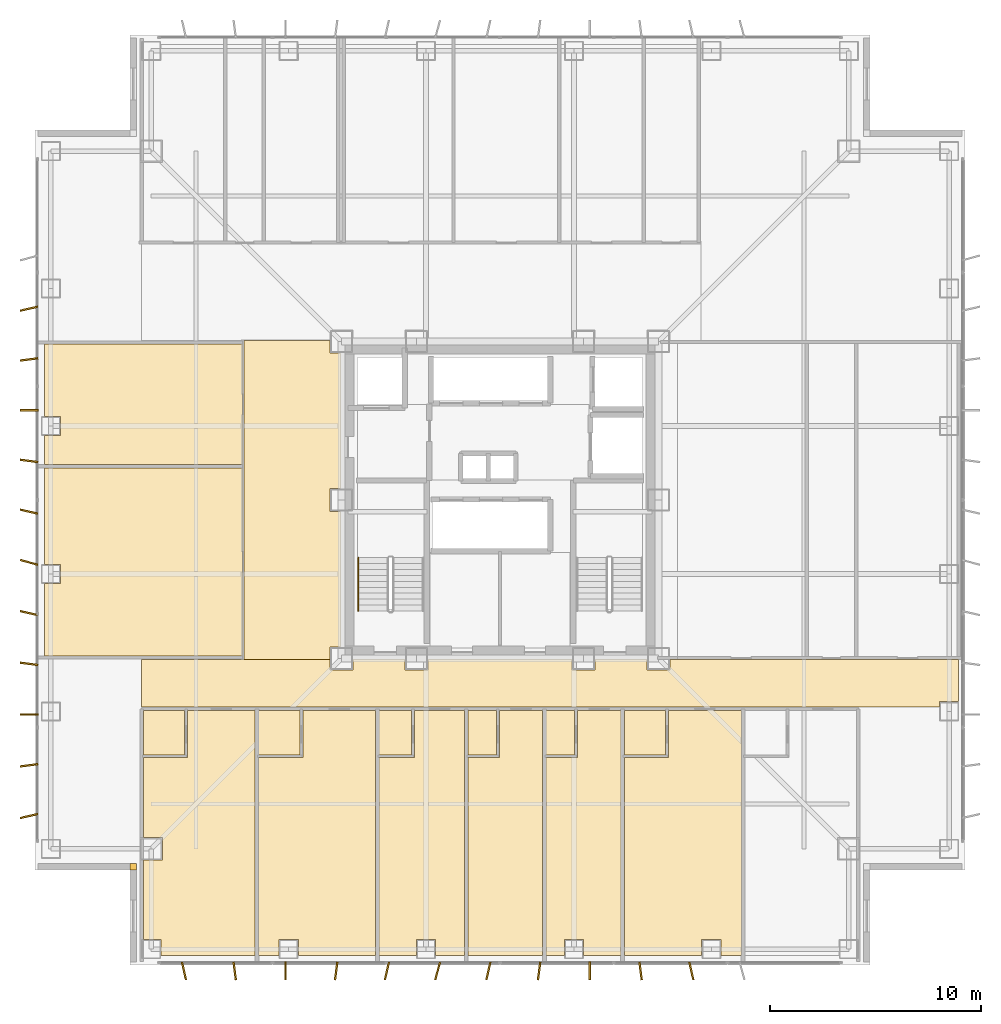
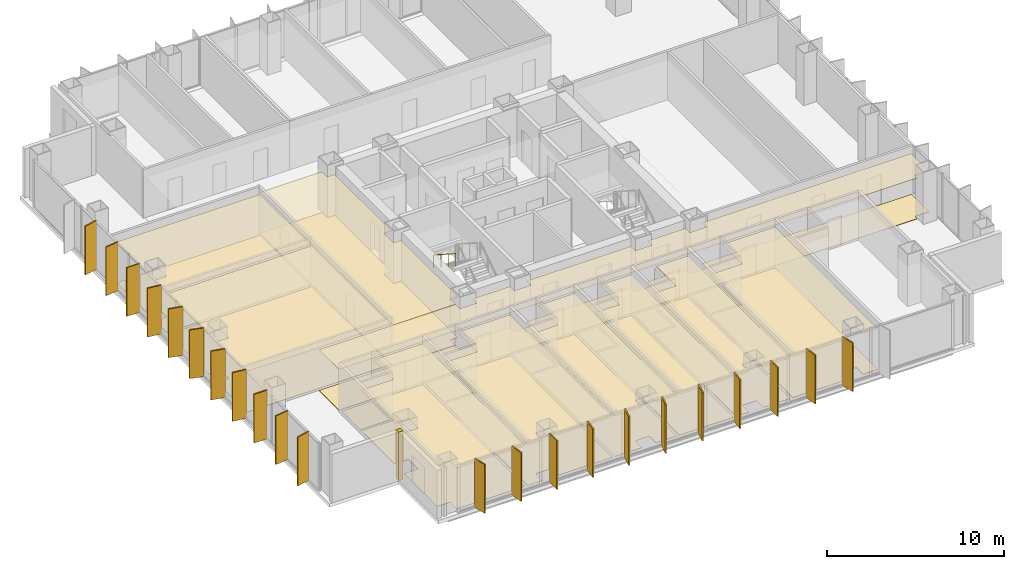
# One storey, part 16 of 18: 27 coverings, 22 shading devices, 1 railing.
"""IFC4 building model written with IfcOpenShell, lengths in metres."""

from ifc_helpers import new_model, si_unit, direction, frame, origin, origin_2d, place, context, subcontext, project, spatial, polyline, rectangle, circle, outline, extrude, material, layer, layer_set, type_object, element, save


model = new_model("IFC4")

# Units and contexts
model_context = context("Model", 3, precision=1e-05, world=origin(), true_north=direction((0.0, 1.0)))
body_context = subcontext(model_context, "Body", "Model", "MODEL_VIEW")
ifc_project = project(units=[si_unit("LENGTHUNIT", "METRE"), si_unit("AREAUNIT", "SQUARE_METRE"), si_unit("VOLUMEUNIT", "CUBIC_METRE"), si_unit("PLANEANGLEUNIT", "RADIAN"), si_unit("MASSUNIT", "GRAM", prefix="KILO")], contexts=[model_context])

# Site, building, storey
site_placement = place(None, origin())
site = spatial("IfcSite", under=ifc_project, at=site_placement, CompositionType="ELEMENT")
building_placement = place(site_placement, origin())
building = spatial("IfcBuilding", under=site, at=building_placement, Name="Trevonay Congress Spire", CompositionType="ELEMENT")
storey_placement = place(building_placement, frame((0.0, 0.0, 148.0)))
storey = spatial("IfcBuildingStorey", under=building, at=storey_placement, Name="L38", CompositionType="ELEMENT", Elevation=148.0)

# Coverings
ifc_material_1 = material(Name="Acoustic Mineral Fibre Board", Category="gypsum")
ifc_layer_1 = layer(ifc_material_1, 0.02490234375, Name="Acoustic Mineral Fibre Board")
ifc_layer_set_1 = layer_set([ifc_layer_1], Name="Acoustic Mineral Fibre Board")
covering_type_1 = type_object("IfcCoveringType", Name="COV-CEIL-ACOUSTIC", PredefinedType="CEILING", material=ifc_layer_set_1)
covering_1_placement = place(storey_placement, frame((0.0, 0.0, 2.81005859375)))
element("IfcCovering", 1, at=covering_1_placement, inside=storey, type_object=covering_type_1, Name="L38 Congress South Spine Corridor acoustic suspended ceiling", PredefinedType="CEILING", context=body_context, shape_type="SweptSolid", body=[
    extrude(outline(polyline([(-16.949951171875, -9.800048828125), (-16.949951171875, -7.550048828125), (-8.034912109375, -7.550048828125), (-8.034912109375, -8.034912109375), (-6.965087890625, -8.034912109375), (-6.965087890625, -7.550048828125), (-4.485107421875, -7.550048828125), (-4.485107421875, -8.034912109375), (-3.4150390625, -8.034912109375), (-3.4150390625, -7.550048828125), (3.4150390625, -7.550048828125), (3.4150390625, -8.034912109375), (4.485107421875, -8.034912109375), (4.485107421875, -7.550048828125), (6.965087890625, -7.550048828125), (6.965087890625, -8.034912109375), (8.034912109375, -8.034912109375), (8.034912109375, -7.550048828125), (21.699951171875, -7.550048828125), (21.699951171875, -9.5400390625), (20.7900390625, -9.5400390625), (20.7900390625, -9.800048828125), (-16.949951171875, -9.800048828125)])), origin(), (0.0, 0.0, 1.0), 0.02490234375),
])
covering_2_placement = place(storey_placement, frame((0.0, 0.0, 2.81005859375)))
element("IfcCovering", 2, at=covering_2_placement, inside=storey, type_object=covering_type_1, Name="L38 West Sky Promenade Salon acoustic suspended ceiling", PredefinedType="CEILING", context=body_context, shape_type="SweptSolid", body=[
    extrude(outline(polyline([(-12.10009765625, 7.550048828125), (-8.034912109375, 7.550048828125), (-8.034912109375, 6.965087890625), (-7.550048828125, 6.965087890625), (-7.550048828125, 0.534912109375), (-8.034912109375, 0.534912109375), (-8.034912109375, -0.534912109375), (-7.550048828125, -0.534912109375), (-7.550048828125, -6.965087890625), (-8.034912109375, -6.965087890625), (-8.034912109375, -7.5400390625), (-12.10009765625, -7.5400390625), (-12.10009765625, 7.550048828125)])), origin(), (0.0, 0.0, 1.0), 0.02490234375),
])
covering_3_placement = place(storey_placement, frame((0.0, 0.0, 2.81005859375)))
element("IfcCovering", 3, at=covering_3_placement, inside=storey, type_object=covering_type_1, Name="L38 Corner Hotel Suite acoustic suspended ceiling", PredefinedType="CEILING", context=body_context, shape_type="SweptSolid", body=[
    extrude(outline(polyline([(-16.8701171875, -12.18994140625), (-14.780029296875, -12.18994140625), (-14.780029296875, -9.9599609375), (-11.580078125, -9.9599609375), (-11.580078125, -21.550048828125), (-16.0400390625, -21.550048828125), (-16.0400390625, -20.7900390625), (-16.8701171875, -20.7900390625), (-16.8701171875, -17.034912109375), (-15.965087890625, -17.034912109375), (-15.965087890625, -15.965087890625), (-16.8701171875, -15.965087890625), (-16.8701171875, -12.18994140625)])), origin(), (0.0, 0.0, 1.0), 0.02490234375),
])
covering_4_placement = place(storey_placement, frame((0.0, 0.0, 2.81005859375)))
element("IfcCovering", 4, at=covering_4_placement, inside=storey, type_object=covering_type_1, Name="L38 Hotel Guest Room acoustic suspended ceiling", PredefinedType="CEILING", context=body_context, shape_type="SweptSolid", body=[
    extrude(outline(polyline([(-11.419921875, -21.550048828125), (-11.419921875, -12.18994140625), (-9.330078125, -12.18994140625), (-9.330078125, -9.9599609375), (-5.8798828125, -9.9599609375), (-5.8798828125, -21.550048828125), (-9.5400390625, -21.550048828125), (-9.5400390625, -20.7900390625), (-10.4599609375, -20.7900390625), (-10.4599609375, -21.550048828125), (-11.419921875, -21.550048828125)])), origin(), (0.0, 0.0, 1.0), 0.02490234375),
])
covering_5_placement = place(storey_placement, frame((0.0, 0.0, 2.81005859375)))
element("IfcCovering", 5, at=covering_5_placement, inside=storey, type_object=covering_type_1, Name="L38 Hotel Guest Room acoustic suspended ceiling", PredefinedType="CEILING", context=body_context, shape_type="SweptSolid", body=[
    extrude(outline(polyline([(-5.719970703125, -21.550048828125), (-5.719970703125, -12.18994140625), (-4.044921875, -12.18994140625), (-4.044921875, -9.9599609375), (-1.679931640625, -9.9599609375), (-1.679931640625, -21.550048828125), (-3.0400390625, -21.550048828125), (-3.0400390625, -20.7900390625), (-3.9599609375, -20.7900390625), (-3.9599609375, -21.550048828125), (-5.719970703125, -21.550048828125)])), origin(), (0.0, 0.0, 1.0), 0.02490234375),
])
covering_6_placement = place(storey_placement, frame((0.0, 0.0, 2.81005859375)))
element("IfcCovering", 6, at=covering_6_placement, inside=storey, type_object=covering_type_1, Name="L38 Hotel Guest Room acoustic suspended ceiling", PredefinedType="CEILING", context=body_context, shape_type="SweptSolid", body=[
    extrude(outline(polyline([(-1.52001953125, -21.550048828125), (2.02001953125, -21.550048828125), (2.02001953125, -9.9599609375), (-0.034912109375, -9.9599609375), (-0.034912109375, -12.18994140625), (-1.52001953125, -12.18994140625), (-1.52001953125, -21.550048828125)])), origin(), (0.0, 0.0, 1.0), 0.02490234375),
])
covering_7_placement = place(storey_placement, frame((0.0, 0.0, 2.81005859375)))
element("IfcCovering", 7, at=covering_7_placement, inside=storey, type_object=covering_type_1, Name="L38 Hotel Guest Room acoustic suspended ceiling", PredefinedType="CEILING", context=body_context, shape_type="SweptSolid", body=[
    extrude(outline(polyline([(2.179931640625, -21.550048828125), (2.179931640625, -12.18994140625), (3.6650390625, -12.18994140625), (3.6650390625, -9.9599609375), (5.719970703125, -9.9599609375), (5.719970703125, -21.550048828125), (3.9599609375, -21.550048828125), (3.9599609375, -20.7900390625), (3.0400390625, -20.7900390625), (3.0400390625, -21.550048828125), (2.179931640625, -21.550048828125)])), origin(), (0.0, 0.0, 1.0), 0.02490234375),
])
covering_8_placement = place(storey_placement, frame((0.0, 0.0, 2.81005859375)))
element("IfcCovering", 8, at=covering_8_placement, inside=storey, type_object=covering_type_1, Name="L38 Corner Hotel Suite acoustic suspended ceiling", PredefinedType="CEILING", context=body_context, shape_type="SweptSolid", body=[
    extrude(outline(polyline([(5.8798828125, -21.550048828125), (5.8798828125, -12.18994140625), (7.969970703125, -12.18994140625), (7.969970703125, -9.9599609375), (11.419921875, -9.9599609375), (11.419921875, -21.550048828125), (10.4599609375, -21.550048828125), (10.4599609375, -20.7900390625), (9.5400390625, -20.7900390625), (9.5400390625, -21.550048828125), (5.8798828125, -21.550048828125)])), origin(), (0.0, 0.0, 1.0), 0.02490234375),
])
covering_9_placement = place(storey_placement, frame((0.0, 0.0, 2.81005859375)))
element("IfcCovering", 9, at=covering_9_placement, inside=storey, type_object=covering_type_1, Name="L38 Chief Negotiator Office acoustic suspended ceiling", PredefinedType="CEILING", context=body_context, shape_type="SweptSolid", body=[
    extrude(outline(polyline([(-21.550048828125, 1.52001953125), (-12.179931640625, 1.52001953125), (-12.179931640625, -7.3701171875), (-21.550048828125, -7.3701171875), (-21.550048828125, -3.9599609375), (-20.7900390625, -3.9599609375), (-20.7900390625, -3.0400390625), (-21.550048828125, -3.0400390625), (-21.550048828125, 1.52001953125)])), origin(), (0.0, 0.0, 1.0), 0.02490234375),
])
covering_10_placement = place(storey_placement, frame((0.0, 0.0, 2.81005859375)))
element("IfcCovering", 10, at=covering_10_placement, inside=storey, type_object=covering_type_1, Name="L38 Diplomatic Cipher Office acoustic suspended ceiling", PredefinedType="CEILING", context=body_context, shape_type="SweptSolid", body=[
    extrude(outline(polyline([(-21.550048828125, 7.3701171875), (-12.179931640625, 7.3701171875), (-12.179931640625, 1.679931640625), (-21.550048828125, 1.679931640625), (-21.550048828125, 3.0400390625), (-20.7900390625, 3.0400390625), (-20.7900390625, 3.9599609375), (-21.550048828125, 3.9599609375), (-21.550048828125, 7.3701171875)])), origin(), (0.0, 0.0, 1.0), 0.02490234375),
])
ifc_material_2 = material(Name="Polished Granite Floor Tile", Category="masonry")
ifc_layer_2 = layer(ifc_material_2, 0.02001953125, Name="Polished Granite Floor Tile")
ifc_layer_set_2 = layer_set([ifc_layer_2], Name="Polished Granite Floor Tile")
covering_type_2 = type_object("IfcCoveringType", Name="COV-FLOOR-STONE", PredefinedType="FLOORING", material=ifc_layer_set_2)
covering_11_placement = place(storey_placement, origin())
element("IfcCovering", 11, at=covering_11_placement, inside=storey, type_object=covering_type_2, Name="L38 Congress South Spine Corridor floor finish", PredefinedType="FLOORING", context=body_context, shape_type="SweptSolid", body=[
    extrude(outline(polyline([(-16.949951171875, -9.800048828125), (-16.949951171875, -7.550048828125), (-8.034912109375, -7.550048828125), (-8.034912109375, -8.034912109375), (-6.965087890625, -8.034912109375), (-6.965087890625, -7.550048828125), (-4.485107421875, -7.550048828125), (-4.485107421875, -8.034912109375), (-3.4150390625, -8.034912109375), (-3.4150390625, -7.550048828125), (3.4150390625, -7.550048828125), (3.4150390625, -8.034912109375), (4.485107421875, -8.034912109375), (4.485107421875, -7.550048828125), (6.965087890625, -7.550048828125), (6.965087890625, -8.034912109375), (8.034912109375, -8.034912109375), (8.034912109375, -7.550048828125), (21.699951171875, -7.550048828125), (21.699951171875, -9.5400390625), (20.7900390625, -9.5400390625), (20.7900390625, -9.800048828125), (-16.949951171875, -9.800048828125)])), origin(), (0.0, 0.0, 1.0), 0.02001953125),
])
covering_12_placement = place(storey_placement, origin())
element("IfcCovering", 12, at=covering_12_placement, inside=storey, type_object=covering_type_2, Name="L38 En-suite Bathroom floor finish", PredefinedType="FLOORING", context=body_context, shape_type="SweptSolid", body=[
    extrude(outline(polyline([(-16.8701171875, -12.070068359375), (-14.919921875, -12.070068359375), (-14.919921875, -9.9599609375), (-16.8701171875, -9.9599609375), (-16.8701171875, -12.070068359375)])), origin(), (0.0, 0.0, 1.0), 0.02001953125),
])
covering_13_placement = place(storey_placement, origin())
element("IfcCovering", 13, at=covering_13_placement, inside=storey, type_object=covering_type_2, Name="L38 En-suite Bathroom floor finish", PredefinedType="FLOORING", context=body_context, shape_type="SweptSolid", body=[
    extrude(outline(polyline([(-11.419921875, -12.070068359375), (-9.469970703125, -12.070068359375), (-9.469970703125, -9.9599609375), (-11.419921875, -9.9599609375), (-11.419921875, -12.070068359375)])), origin(), (0.0, 0.0, 1.0), 0.02001953125),
])
covering_14_placement = place(storey_placement, origin())
element("IfcCovering", 14, at=covering_14_placement, inside=storey, type_object=covering_type_2, Name="L38 En-suite Bathroom floor finish", PredefinedType="FLOORING", context=body_context, shape_type="SweptSolid", body=[
    extrude(outline(polyline([(-5.719970703125, -12.070068359375), (-4.18505859375, -12.070068359375), (-4.18505859375, -9.9599609375), (-5.719970703125, -9.9599609375), (-5.719970703125, -12.070068359375)])), origin(), (0.0, 0.0, 1.0), 0.02001953125),
])
covering_15_placement = place(storey_placement, origin())
element("IfcCovering", 15, at=covering_15_placement, inside=storey, type_object=covering_type_2, Name="L38 En-suite Bathroom floor finish", PredefinedType="FLOORING", context=body_context, shape_type="SweptSolid", body=[
    extrude(outline(polyline([(-1.52001953125, -12.070068359375), (-0.175048828125, -12.070068359375), (-0.175048828125, -9.9599609375), (-1.52001953125, -9.9599609375), (-1.52001953125, -12.070068359375)])), origin(), (0.0, 0.0, 1.0), 0.02001953125),
])
covering_16_placement = place(storey_placement, origin())
element("IfcCovering", 16, at=covering_16_placement, inside=storey, type_object=covering_type_2, Name="L38 En-suite Bathroom floor finish", PredefinedType="FLOORING", context=body_context, shape_type="SweptSolid", body=[
    extrude(outline(polyline([(2.179931640625, -12.070068359375), (3.52490234375, -12.070068359375), (3.52490234375, -9.9599609375), (2.179931640625, -9.9599609375), (2.179931640625, -12.070068359375)])), origin(), (0.0, 0.0, 1.0), 0.02001953125),
])
covering_17_placement = place(storey_placement, origin())
element("IfcCovering", 17, at=covering_17_placement, inside=storey, type_object=covering_type_2, Name="L38 En-suite Bathroom floor finish", PredefinedType="FLOORING", context=body_context, shape_type="SweptSolid", body=[
    extrude(outline(polyline([(5.8798828125, -12.070068359375), (7.830078125, -12.070068359375), (7.830078125, -9.9599609375), (5.8798828125, -9.9599609375), (5.8798828125, -12.070068359375)])), origin(), (0.0, 0.0, 1.0), 0.02001953125),
])
ifc_material_3 = material(Name="Engineered Oak Flooring", Category="wood")
ifc_layer_3 = layer(ifc_material_3, 0.01806640625, Name="Engineered Oak Flooring")
ifc_layer_set_3 = layer_set([ifc_layer_3], Name="Engineered Oak Flooring")
covering_type_3 = type_object("IfcCoveringType", Name="COV-FLOOR-TIMBER", PredefinedType="FLOORING", material=ifc_layer_set_3)
covering_18_placement = place(storey_placement, origin())
element("IfcCovering", 18, at=covering_18_placement, inside=storey, type_object=covering_type_3, Name="L38 West Sky Promenade Salon floor finish", PredefinedType="FLOORING", context=body_context, shape_type="SweptSolid", body=[
    extrude(outline(polyline([(-12.10009765625, 7.550048828125), (-8.034912109375, 7.550048828125), (-8.034912109375, 6.965087890625), (-7.550048828125, 6.965087890625), (-7.550048828125, 0.534912109375), (-8.034912109375, 0.534912109375), (-8.034912109375, -0.534912109375), (-7.550048828125, -0.534912109375), (-7.550048828125, -6.965087890625), (-8.034912109375, -6.965087890625), (-8.034912109375, -7.5400390625), (-12.10009765625, -7.5400390625), (-12.10009765625, 7.550048828125)])), origin(), (0.0, 0.0, 1.0), 0.01806640625),
])
covering_19_placement = place(storey_placement, origin())
element("IfcCovering", 19, at=covering_19_placement, inside=storey, type_object=covering_type_3, Name="L38 Corner Hotel Suite floor finish", PredefinedType="FLOORING", context=body_context, shape_type="SweptSolid", body=[
    extrude(outline(polyline([(-16.8701171875, -12.18994140625), (-14.780029296875, -12.18994140625), (-14.780029296875, -9.9599609375), (-11.580078125, -9.9599609375), (-11.580078125, -21.550048828125), (-16.0400390625, -21.550048828125), (-16.0400390625, -20.7900390625), (-16.8701171875, -20.7900390625), (-16.8701171875, -17.034912109375), (-15.965087890625, -17.034912109375), (-15.965087890625, -15.965087890625), (-16.8701171875, -15.965087890625), (-16.8701171875, -12.18994140625)])), origin(), (0.0, 0.0, 1.0), 0.01806640625),
])
covering_20_placement = place(storey_placement, origin())
element("IfcCovering", 20, at=covering_20_placement, inside=storey, type_object=covering_type_3, Name="L38 Hotel Guest Room floor finish", PredefinedType="FLOORING", context=body_context, shape_type="SweptSolid", body=[
    extrude(outline(polyline([(-11.419921875, -21.550048828125), (-11.419921875, -12.18994140625), (-9.330078125, -12.18994140625), (-9.330078125, -9.9599609375), (-5.8798828125, -9.9599609375), (-5.8798828125, -21.550048828125), (-9.5400390625, -21.550048828125), (-9.5400390625, -20.7900390625), (-10.4599609375, -20.7900390625), (-10.4599609375, -21.550048828125), (-11.419921875, -21.550048828125)])), origin(), (0.0, 0.0, 1.0), 0.01806640625),
])
covering_21_placement = place(storey_placement, origin())
element("IfcCovering", 21, at=covering_21_placement, inside=storey, type_object=covering_type_3, Name="L38 Hotel Guest Room floor finish", PredefinedType="FLOORING", context=body_context, shape_type="SweptSolid", body=[
    extrude(outline(polyline([(-5.719970703125, -21.550048828125), (-5.719970703125, -12.18994140625), (-4.044921875, -12.18994140625), (-4.044921875, -9.9599609375), (-1.679931640625, -9.9599609375), (-1.679931640625, -21.550048828125), (-3.0400390625, -21.550048828125), (-3.0400390625, -20.7900390625), (-3.9599609375, -20.7900390625), (-3.9599609375, -21.550048828125), (-5.719970703125, -21.550048828125)])), origin(), (0.0, 0.0, 1.0), 0.01806640625),
])
covering_22_placement = place(storey_placement, origin())
element("IfcCovering", 22, at=covering_22_placement, inside=storey, type_object=covering_type_3, Name="L38 Hotel Guest Room floor finish", PredefinedType="FLOORING", context=body_context, shape_type="SweptSolid", body=[
    extrude(outline(polyline([(-1.52001953125, -21.550048828125), (2.02001953125, -21.550048828125), (2.02001953125, -9.9599609375), (-0.034912109375, -9.9599609375), (-0.034912109375, -12.18994140625), (-1.52001953125, -12.18994140625), (-1.52001953125, -21.550048828125)])), origin(), (0.0, 0.0, 1.0), 0.01806640625),
])
covering_23_placement = place(storey_placement, origin())
element("IfcCovering", 23, at=covering_23_placement, inside=storey, type_object=covering_type_3, Name="L38 Hotel Guest Room floor finish", PredefinedType="FLOORING", context=body_context, shape_type="SweptSolid", body=[
    extrude(outline(polyline([(2.179931640625, -21.550048828125), (2.179931640625, -12.18994140625), (3.6650390625, -12.18994140625), (3.6650390625, -9.9599609375), (5.719970703125, -9.9599609375), (5.719970703125, -21.550048828125), (3.9599609375, -21.550048828125), (3.9599609375, -20.7900390625), (3.0400390625, -20.7900390625), (3.0400390625, -21.550048828125), (2.179931640625, -21.550048828125)])), origin(), (0.0, 0.0, 1.0), 0.01806640625),
])
covering_24_placement = place(storey_placement, origin())
element("IfcCovering", 24, at=covering_24_placement, inside=storey, type_object=covering_type_3, Name="L38 Corner Hotel Suite floor finish", PredefinedType="FLOORING", context=body_context, shape_type="SweptSolid", body=[
    extrude(outline(polyline([(5.8798828125, -21.550048828125), (5.8798828125, -12.18994140625), (7.969970703125, -12.18994140625), (7.969970703125, -9.9599609375), (11.419921875, -9.9599609375), (11.419921875, -21.550048828125), (10.4599609375, -21.550048828125), (10.4599609375, -20.7900390625), (9.5400390625, -20.7900390625), (9.5400390625, -21.550048828125), (5.8798828125, -21.550048828125)])), origin(), (0.0, 0.0, 1.0), 0.01806640625),
])
covering_25_placement = place(storey_placement, origin())
element("IfcCovering", 25, at=covering_25_placement, inside=storey, type_object=covering_type_3, Name="L38 Chief Negotiator Office floor finish", PredefinedType="FLOORING", context=body_context, shape_type="SweptSolid", body=[
    extrude(outline(polyline([(-21.550048828125, 1.52001953125), (-12.179931640625, 1.52001953125), (-12.179931640625, -7.3701171875), (-21.550048828125, -7.3701171875), (-21.550048828125, -3.9599609375), (-20.7900390625, -3.9599609375), (-20.7900390625, -3.0400390625), (-21.550048828125, -3.0400390625), (-21.550048828125, 1.52001953125)])), origin(), (0.0, 0.0, 1.0), 0.01806640625),
])
covering_26_placement = place(storey_placement, origin())
element("IfcCovering", 26, at=covering_26_placement, inside=storey, type_object=covering_type_3, Name="L38 Diplomatic Cipher Office floor finish", PredefinedType="FLOORING", context=body_context, shape_type="SweptSolid", body=[
    extrude(outline(polyline([(-21.550048828125, 7.3701171875), (-12.179931640625, 7.3701171875), (-12.179931640625, 1.679931640625), (-21.550048828125, 1.679931640625), (-21.550048828125, 3.0400390625), (-20.7900390625, 3.0400390625), (-20.7900390625, 3.9599609375), (-21.550048828125, 3.9599609375), (-21.550048828125, 7.3701171875)])), origin(), (0.0, 0.0, 1.0), 0.01806640625),
])
ifc_material_4 = material(Name="Pale Anodised Aluminium EN AW-6063-T6", Category="aluminium")
ifc_layer_4 = layer(ifc_material_4, 0.0400390625, Name="Pale Anodised Aluminium EN AW-6063-T6")
ifc_layer_set_4 = layer_set([ifc_layer_4], Name="Pale Anodised Aluminium EN AW-6063-T6")
covering_type_4 = type_object("IfcCoveringType", Name="COV-SPANDREL-PALE-METAL", PredefinedType="CLADDING", material=ifc_layer_set_4)
covering_27_placement = place(storey_placement, origin())
element("IfcCovering", 27, at=covering_27_placement, inside=storey, type_object=covering_type_4, Name="L38 SW re-entrant notch corner closure trim", PredefinedType="CLADDING", context=body_context, shape_type="SweptSolid", body=[
    extrude(outline(polyline([(-17.5, -17.5), (-17.199951171875, -17.5), (-17.199951171875, -17.199951171875), (-17.5, -17.199951171875), (-17.5, -17.5)])), origin(), (0.0, 0.0, 1.0), 3.360107421875),
])

# Railing
railing_type = type_object("IfcRailingType", Name="RAL-STAIR-HANDRAIL", PredefinedType="HANDRAIL", material=ifc_material_4)
railing_placement = place(storey_placement, frame((-6.699951171875, -2.72998046875, 1.97998046875)))
element("IfcRailing", 28, at=railing_placement, inside=storey, type_object=railing_type, Name="L38 ST-1 stair handrail 2", PredefinedType="HANDRAIL", context=body_context, shape_type="SweptSolid", body=[
    extrude(circle(Radius=0.02392578125, at=origin_2d()), frame((0.0, 0.0, 0.8759765625), z_axis=(0.0, -0.841162588446, 0.540782303519), x_axis=(1.0, 0.0, 0.0)), (0.0, 0.0, 1.0), 2.995849609375),
    extrude(circle(Radius=0.02099609375, at=origin_2d()), origin(), (0.0, 0.0, 1.0), 0.851806640625),
    extrude(circle(Radius=0.02099609375, at=origin_2d()), frame((0.0, -0.840087890625, 0.5400390625)), (0.0, 0.0, 1.0), 0.851806640625),
    extrude(circle(Radius=0.02099609375, at=origin_2d()), frame((0.0, -1.679931640625, 1.080078125)), (0.0, 0.0, 1.0), 0.851806640625),
    extrude(circle(Radius=0.02099609375, at=origin_2d()), frame((0.0, -2.52001953125, 1.6201171875)), (0.0, 0.0, 1.0), 0.851806640625),
])

# Shading devices
shading_device_type = type_object("IfcShadingDeviceType", Name="SHD-FIN-Z2-PALE-METAL", PredefinedType="USERDEFINED", material=ifc_material_4)
for number, where, z_axis, x_axis, name in (
    (29, (-14.949951171875, -22.280029296875, 0.0), (0.0, 0.0, 1.0), (0.97440931131, 0.224780991261, 0.0), "L38 S vertical pale-metal solar fin 1"),
    (30, (-12.550048828125, -22.280029296875, 0.0), (0.0, 0.0, 1.0), (0.991444861374, 0.13052619222, 0.0), "L38 S vertical pale-metal solar fin 2"),
    (31, (-10.14990234375, -22.280029296875, 0.0), (0.0, 0.0, 1.0), (1.0, 0.0, 0.0), "L38 S vertical pale-metal solar fin 3"),
    (32, (-7.75, -22.280029296875, 0.0), (0.0, 0.0, 1.0), (0.991444861374, -0.13052619222, 0.0), "L38 S vertical pale-metal solar fin 4"),
    (33, (-5.35009765625, -22.280029296875, 0.0), (0.0, 0.0, 1.0), (0.97440931131, -0.224780991261, 0.0), "L38 S vertical pale-metal solar fin 5"),
    (34, (-2.949951171875, -22.280029296875, 0.0), (0.0, 0.0, 1.0), (0.965925826289, -0.258819045103, 0.0), "L38 S vertical pale-metal solar fin 6"),
    (35, (-0.550048828125, -22.280029296875, 0.0), (0.0, 0.0, 1.0), (0.97440931131, -0.224780991261, 0.0), "L38 S vertical pale-metal solar fin 7"),
    (36, (1.85009765625, -22.280029296875, 0.0), (0.0, 0.0, 1.0), (0.991444861374, -0.13052619222, 0.0), "L38 S vertical pale-metal solar fin 8"),
    (37, (4.25, -22.280029296875, 0.0), (0.0, 0.0, 1.0), (1.0, 0.0, 0.0), "L38 S vertical pale-metal solar fin 9"),
    (38, (6.64990234375, -22.280029296875, 0.0), (0.0, 0.0, 1.0), (0.991444861374, 0.13052619222, 0.0), "L38 S vertical pale-metal solar fin 10"),
    (39, (9.050048828125, -22.280029296875, 0.0), (0.0, 0.0, 1.0), (0.97440931131, 0.224780991261, 0.0), "L38 S vertical pale-metal solar fin 11"),
    (40, (-22.280029296875, -14.949951171875, 0.0), (0.0, 0.0, 1.0), (-0.224780991261, 0.97440931131, 0.0), "L38 W vertical pale-metal solar fin 1"),
    (41, (-22.280029296875, -12.550048828125, 0.0), (0.0, 0.0, 1.0), (-0.13052619222, 0.991444861374, 0.0), "L38 W vertical pale-metal solar fin 2"),
    (42, (-22.280029296875, -10.14990234375, 0.0), (0.0, 0.0, 1.0), (0.0, 1.0, 0.0), "L38 W vertical pale-metal solar fin 3"),
    (43, (-22.280029296875, -7.75, 0.0), (0.0, 0.0, 1.0), (0.13052619222, 0.991444861374, 0.0), "L38 W vertical pale-metal solar fin 4"),
    (44, (-22.280029296875, -5.35009765625, 0.0), (0.0, 0.0, 1.0), (0.224780991261, 0.97440931131, 0.0), "L38 W vertical pale-metal solar fin 5"),
    (45, (-22.280029296875, -2.949951171875, 0.0), (0.0, 0.0, 1.0), (0.258819045103, 0.965925826289, 0.0), "L38 W vertical pale-metal solar fin 6"),
    (46, (-22.280029296875, -0.550048828125, 0.0), (0.0, 0.0, 1.0), (0.224780991261, 0.97440931131, 0.0), "L38 W vertical pale-metal solar fin 7"),
    (47, (-22.280029296875, 1.85009765625, 0.0), (0.0, 0.0, 1.0), (0.13052619222, 0.991444861374, 0.0), "L38 W vertical pale-metal solar fin 8"),
    (48, (-22.280029296875, 4.25, 0.0), (0.0, 0.0, 1.0), (0.0, 1.0, 0.0), "L38 W vertical pale-metal solar fin 9"),
    (49, (-22.280029296875, 6.64990234375, 0.0), (0.0, 0.0, 1.0), (-0.13052619222, 0.991444861374, 0.0), "L38 W vertical pale-metal solar fin 10"),
    (50, (-22.280029296875, 9.050048828125, 0.0), (0.0, 0.0, 1.0), (-0.224780991261, 0.97440931131, 0.0), "L38 W vertical pale-metal solar fin 11"),
):
    element("IfcShadingDevice", number, at=place(storey_placement, frame(where, z_axis=z_axis, x_axis=x_axis)), inside=storey, type_object=shading_device_type, Name=name, ObjectType="SOLAR FIN", PredefinedType="USERDEFINED", context=body_context, shape_type="SweptSolid", body=[
        extrude(rectangle(XDim=0.080078125, YDim=0.85009765625, at=origin_2d()), origin(), (0.0, 0.0, 1.0), 3.360107421875),
    ])

save(model, "model.ifc")
